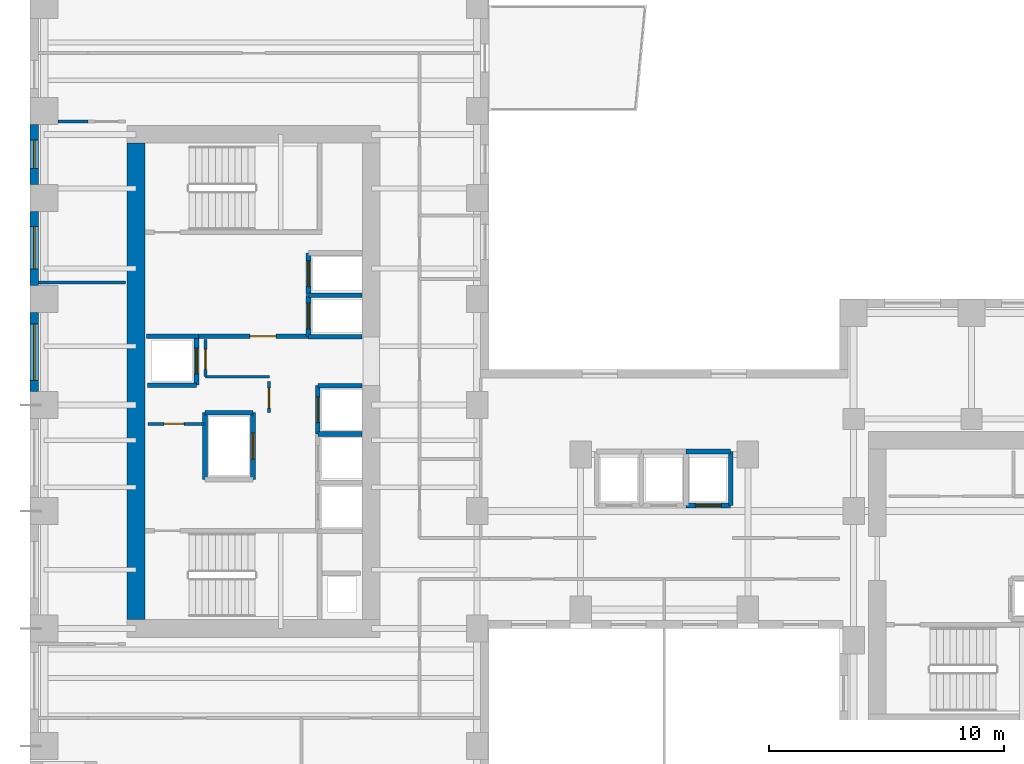
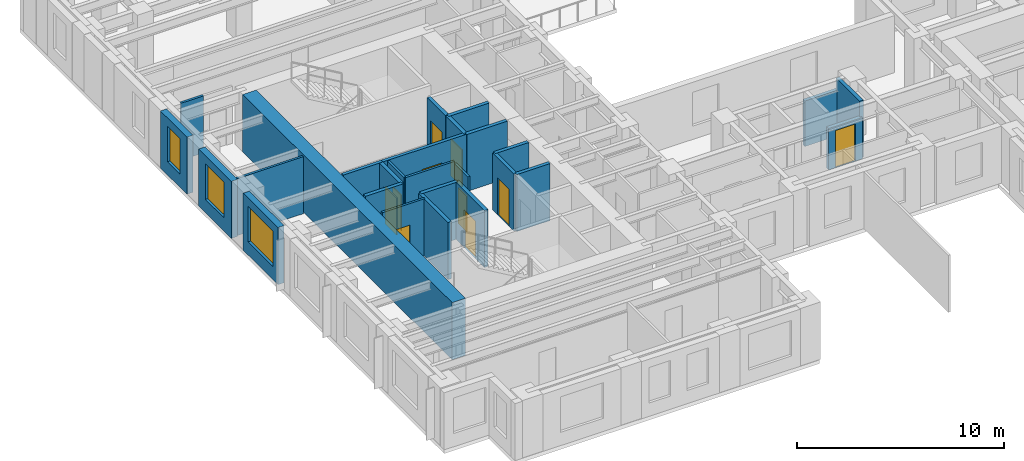
# One storey, part 5 of 11: 27 walls, 10 doors, 3 windows, 13 openings.
"""IFC4 building model written with IfcOpenShell, lengths in metres."""

from ifc_helpers import new_model, si_unit, direction, frame, frame_2d, origin, place, context, subcontext, project, spatial, rectangle, extrude, source, transform, mapped, material, layer, layer_set, type_object, element, fill, save


model = new_model("IFC4")

# Units and contexts
model_context = context("Model", 3, precision=1e-05, world=origin(), true_north=direction((0.0, 1.0)))
body_context = subcontext(model_context, "Body", "Model", "MODEL_VIEW")
ifc_project = project(units=[si_unit("LENGTHUNIT", "METRE"), si_unit("AREAUNIT", "SQUARE_METRE"), si_unit("VOLUMEUNIT", "CUBIC_METRE"), si_unit("PLANEANGLEUNIT", "RADIAN"), si_unit("MASSUNIT", "GRAM", prefix="KILO")], contexts=[model_context])

# Site, building, storey
site_placement = place(None, origin())
site = spatial("IfcSite", under=ifc_project, at=site_placement, CompositionType="ELEMENT")
building_placement = place(site_placement, origin())
building = spatial("IfcBuilding", under=site, at=building_placement, Name="Kharzan Plaza Tower", CompositionType="ELEMENT")
storey_placement = place(building_placement, frame((0.0, 0.0, 99.0)))
storey = spatial("IfcBuildingStorey", under=building, at=storey_placement, Name="L26", CompositionType="ELEMENT", Elevation=99.0)

# Wall, opening, window
ifc_material_1 = material(Name="Concrete C40/50", Category="concrete")
ifc_layer_1 = layer(ifc_material_1, 0.35009765625)
ifc_layer_set_1 = layer_set([ifc_layer_1], Name="Concrete C40/50")
wall_type_1 = type_object("IfcWallType", Name="WL-EXT-MAS-Z2", PredefinedType="SOLIDWALL", material=ifc_layer_set_1)
wall_1_placement = place(storey_placement, frame((0.175048828125, 29.927001953125, 0.0), z_axis=(0.0, 0.0, 1.0), x_axis=(0.0, -1.0, 0.0)))
wall_1 = element("IfcWall", 1, at=wall_1_placement, inside=storey, type_object=wall_type_1, Name="L26 Masonry-Frame Exterior Wall 20", PredefinedType="SOLIDWALL", context=body_context, shape_type="SweptSolid", body=[
    extrude(rectangle(XDim=2.553955078125, YDim=0.35009765625, at=frame_2d((1.27685546875, 0.0))), origin(), (0.0, 0.0, 1.0), 3.364990234375),
])
opening_1_placement = place(wall_1_placement, frame((0.677001953125, 0.0, 0.780029296875)))
opening_1 = element("IfcOpeningElement", 2, at=opening_1_placement, cuts=wall_1, Name="Opening W3", PredefinedType="OPENING", context=body_context, shape_type="SweptSolid", body=[
    extrude(rectangle(XDim=1.199951171875, YDim=2.10009765625, at=frame_2d((0.60009765625, 1.050048828125))), frame((0.0, 0.18505859375, 0.0), z_axis=(0.0, -1.0, 0.0), x_axis=(1.0, 0.0, 0.0)), (0.0, 0.0, 1.0), 0.3701171875),
])
ifc_material_2 = material(Name="Low-E Double Glazing", Category="glass")
window_type_1 = type_object("IfcWindowType", Name="WN-REC-1200x2100", PartitioningType="SINGLE_PANEL", PredefinedType="WINDOW", material=ifc_material_2)
shared_shape_1 = source(origin(), body_context, "Body", "SweptSolid", [
    extrude(rectangle(XDim=1.199951171875, YDim=2.10009765625, at=frame_2d((0.60009765625, 1.050048828125))), frame((0.0, 0.030029296875, 0.0), z_axis=(0.0, -1.0, 0.0), x_axis=(1.0, 0.0, 0.0)), (0.0, 0.0, 1.0), 0.06005859375),
])
window_1_placement = place(opening_1_placement, origin())
window_1 = element("IfcWindow", 3, at=window_1_placement, inside=storey, type_object=window_type_1, Name="L26 Recessed Solar-Control Window 20-1", OverallHeight=2.10009765625, OverallWidth=1.199951171875, PartitioningType="SINGLE_PANEL", PredefinedType="WINDOW", context=body_context, shape_type="MappedRepresentation", body=[
    mapped(shared_shape_1, transform((0.0, 0.0, 0.0), x_axis=(1.0, 0.0, 0.0), y_axis=(0.0, 1.0, 0.0), z_axis=(0.0, 0.0, 1.0))),
])
fill(opening_1, window_1)

wall_2_placement = place(storey_placement, frame((0.175048828125, 26.22705078125, 0.0), z_axis=(0.0, 0.0, 1.0), x_axis=(0.0, -1.0, 0.0)))
wall_2 = element("IfcWall", 4, at=wall_2_placement, inside=storey, type_object=wall_type_1, Name="L26 Masonry-Frame Exterior Wall 21", PredefinedType="SOLIDWALL", context=body_context, shape_type="SweptSolid", body=[
    extrude(rectangle(XDim=3.154052734375, YDim=0.35009765625, at=frame_2d((1.5771484375, 0.0))), origin(), (0.0, 0.0, 1.0), 3.364990234375),
])
opening_2_placement = place(wall_2_placement, frame((0.6484375, 0.0, 0.780029296875)))
opening_2 = element("IfcOpeningElement", 5, at=opening_2_placement, cuts=wall_2, Name="Opening W1", PredefinedType="OPENING", context=body_context, shape_type="SweptSolid", body=[
    extrude(rectangle(XDim=1.800048828125, YDim=2.10009765625, at=frame_2d((0.89990234375, 1.050048828125))), frame((0.0, 0.18505859375, 0.0), z_axis=(0.0, -1.0, 0.0), x_axis=(1.0, 0.0, 0.0)), (0.0, 0.0, 1.0), 0.3701171875),
])
window_type_2 = type_object("IfcWindowType", Name="WN-REC-1800x2100", PartitioningType="SINGLE_PANEL", PredefinedType="WINDOW", material=ifc_material_2)
shared_shape_2 = source(origin(), body_context, "Body", "SweptSolid", [
    extrude(rectangle(XDim=1.800048828125, YDim=2.10009765625, at=frame_2d((0.89990234375, 1.050048828125))), frame((0.0, 0.030029296875, 0.0), z_axis=(0.0, -1.0, 0.0), x_axis=(1.0, 0.0, 0.0)), (0.0, 0.0, 1.0), 0.06005859375),
])
window_2_placement = place(opening_2_placement, origin())
window_2 = element("IfcWindow", 6, at=window_2_placement, inside=storey, type_object=window_type_2, Name="L26 Recessed Solar-Control Window 21-1", OverallHeight=2.10009765625, OverallWidth=1.800048828125, PartitioningType="SINGLE_PANEL", PredefinedType="WINDOW", context=body_context, shape_type="MappedRepresentation", body=[
    mapped(shared_shape_2, transform((0.0, 0.0, 0.0), x_axis=(1.0, 0.0, 0.0), y_axis=(0.0, 1.0, 0.0), z_axis=(0.0, 0.0, 1.0))),
])
fill(opening_2, window_2)

wall_3_placement = place(storey_placement, frame((0.175048828125, 21.927001953125, 0.0), z_axis=(0.0, 0.0, 1.0), x_axis=(0.0, -1.0, 0.0)))
wall_3 = element("IfcWall", 7, at=wall_3_placement, inside=storey, type_object=wall_type_1, Name="L26 Masonry-Frame Exterior Wall 22", PredefinedType="SOLIDWALL", context=body_context, shape_type="SweptSolid", body=[
    extrude(rectangle(XDim=3.35400390625, YDim=0.35009765625, at=frame_2d((1.677001953125, 0.0))), origin(), (0.0, 0.0, 1.0), 3.364990234375),
])
opening_3_placement = place(wall_3_placement, frame((0.47705078125, 0.0, 0.780029296875)))
opening_3 = element("IfcOpeningElement", 8, at=opening_3_placement, cuts=wall_3, Name="Opening W2", PredefinedType="OPENING", context=body_context, shape_type="SweptSolid", body=[
    extrude(rectangle(XDim=2.39990234375, YDim=2.10009765625, at=frame_2d((1.199951171875, 1.050048828125))), frame((0.0, 0.18505859375, 0.0), z_axis=(0.0, -1.0, 0.0), x_axis=(1.0, 0.0, 0.0)), (0.0, 0.0, 1.0), 0.3701171875),
])
window_type_3 = type_object("IfcWindowType", Name="WN-REC-2400x2100", PartitioningType="SINGLE_PANEL", PredefinedType="WINDOW", material=ifc_material_2)
shared_shape_3 = source(origin(), body_context, "Body", "SweptSolid", [
    extrude(rectangle(XDim=2.39990234375, YDim=2.10009765625, at=frame_2d((1.199951171875, 1.050048828125))), frame((0.0, 0.030029296875, 0.0), z_axis=(0.0, -1.0, 0.0), x_axis=(1.0, 0.0, 0.0)), (0.0, 0.0, 1.0), 0.06005859375),
])
window_3_placement = place(opening_3_placement, origin())
window_3 = element("IfcWindow", 9, at=window_3_placement, inside=storey, type_object=window_type_3, Name="L26 Wide Recessed Solar-Control Window 22-1", OverallHeight=2.10009765625, OverallWidth=2.39990234375, PartitioningType="SINGLE_PANEL", PredefinedType="WINDOW", context=body_context, shape_type="MappedRepresentation", body=[
    mapped(shared_shape_3, transform((0.0, 0.0, 0.0), x_axis=(1.0, 0.0, 0.0), y_axis=(0.0, 1.0, 0.0), z_axis=(0.0, 0.0, 1.0))),
])
fill(opening_3, window_3)

# Wall, opening, door
ifc_layer_2 = layer(ifc_material_1, 0.179931640625)
ifc_layer_set_2 = layer_set([ifc_layer_2], Name="Concrete C40/50")
wall_type_2 = type_object("IfcWallType", Name="WL-INT-FIRE-180", PredefinedType="PARTITIONING", material=ifc_layer_set_2)
wall_4_placement = place(storey_placement, frame((7.14990234375, 20.919921875, 0.0), z_axis=(0.0, 0.0, 1.0), x_axis=(1.0, 0.0, 0.0)))
wall_4 = element("IfcWall", 10, at=wall_4_placement, inside=storey, type_object=wall_type_2, Name="L26 Interior Partition CA-FF-S", PredefinedType="PARTITIONING", context=body_context, shape_type="SweptSolid", body=[
    extrude(rectangle(XDim=4.68017578125, YDim=0.179931640625, at=frame_2d((2.340087890625, 0.0))), origin(), (0.0, 0.0, 1.0), 3.364990234375),
])
opening_4_placement = place(wall_4_placement, frame((2.199951171875, 0.0, 0.0)))
opening_4 = element("IfcOpeningElement", 11, at=opening_4_placement, cuts=wall_4, Name="Opening FD1", PredefinedType="OPENING", context=body_context, shape_type="SweptSolid", body=[
    extrude(rectangle(XDim=1.10009765625, YDim=2.14990234375, at=frame_2d((0.550048828125, 1.074951171875))), frame((0.0, 0.099853515625, 0.0), z_axis=(0.0, -1.0, 0.0), x_axis=(1.0, 0.0, 0.0)), (0.0, 0.0, 1.0), 0.199951171875),
])
ifc_material_3 = material(Name="Fire-Rated Acoustic Vision-Panel Steel", Category="steel")
door_type_1 = type_object("IfcDoorType", Name="DR-FIRE-LOBBY", OperationType="NOTDEFINED", PredefinedType="DOOR", material=ifc_material_3)
shared_shape_4 = source(origin(), body_context, "Body", "SweptSolid", [
    extrude(rectangle(XDim=1.10009765625, YDim=2.14990234375, at=frame_2d((0.550048828125, 1.074951171875))), frame((0.0, 0.02490234375, 0.0), z_axis=(0.0, -1.0, 0.0), x_axis=(1.0, 0.0, 0.0)), (0.0, 0.0, 1.0), 0.050048828125),
])
door_1_placement = place(opening_4_placement, origin())
door_1 = element("IfcDoor", 12, at=door_1_placement, inside=storey, type_object=door_type_1, Name="L26 Firefighting Lobby Door", OperationType="SINGLE_SWING_RIGHT", OverallHeight=2.14990234375, OverallWidth=1.10009765625, PredefinedType="DOOR", context=body_context, shape_type="MappedRepresentation", body=[
    mapped(shared_shape_4, transform((0.0, 0.0, 0.0), x_axis=(1.0, 0.0, 0.0), y_axis=(0.0, 1.0, 0.0), z_axis=(0.0, 0.0, 1.0))),
])
fill(opening_4, door_1)

ifc_material_4 = material(Name="Fire-Rated Gypsum Board Partition", Category="gypsum")
ifc_layer_3 = layer(ifc_material_4, 0.125)
ifc_layer_set_3 = layer_set([ifc_layer_3], Name="Fire-Rated Gypsum Board Partition")
wall_type_3 = type_object("IfcWallType", Name="WL-INT-PART-125", PredefinedType="PARTITIONING", material=ifc_layer_set_3)
wall_5_placement = place(storey_placement, frame((10.14990234375, 17.679931640625, 0.0), z_axis=(0.0, 0.0, 1.0), x_axis=(0.0, 1.0, 0.0)))
wall_5 = element("IfcWall", 13, at=wall_5_placement, inside=storey, type_object=wall_type_3, Name="L26 Interior Partition CA-K2A", PredefinedType="PARTITIONING", context=body_context, shape_type="SweptSolid", body=[
    extrude(rectangle(XDim=1.320068359375, YDim=0.125, at=frame_2d((0.66015625, 0.0))), origin(), (0.0, 0.0, 1.0), 3.364990234375),
])
opening_5_placement = place(wall_5_placement, frame((0.18505859375, 0.0, 0.0)))
opening_5 = element("IfcOpeningElement", 14, at=opening_5_placement, cuts=wall_5, Name="Opening RD1", PredefinedType="OPENING", context=body_context, shape_type="SweptSolid", body=[
    extrude(rectangle(XDim=0.85009765625, YDim=2.10009765625, at=frame_2d((0.425048828125, 1.050048828125))), frame((0.0, 0.072509765625, 0.0), z_axis=(0.0, -1.0, 0.0), x_axis=(1.0, 0.0, 0.0)), (0.0, 0.0, 1.0), 0.14501953125),
])
ifc_material_5 = material(Name="Powder-Coated Fire-Rated Steel", Category="steel")
door_type_2 = type_object("IfcDoorType", Name="DR-RISER-900", OperationType="NOTDEFINED", PredefinedType="DOOR", material=ifc_material_5)
shared_shape_5 = source(origin(), body_context, "Body", "SweptSolid", [
    extrude(rectangle(XDim=0.85009765625, YDim=2.10009765625, at=frame_2d((0.425048828125, 1.050048828125))), frame((0.0, 0.02490234375, 0.0), z_axis=(0.0, -1.0, 0.0), x_axis=(1.0, 0.0, 0.0)), (0.0, 0.0, 1.0), 0.050048828125),
])
door_2_placement = place(opening_5_placement, origin())
door_2 = element("IfcDoor", 15, at=door_2_placement, inside=storey, type_object=door_type_2, Name="L26 Core Mechanical Store Door", OperationType="SINGLE_SWING_LEFT", OverallHeight=2.10009765625, OverallWidth=0.85009765625, PredefinedType="DOOR", context=body_context, shape_type="MappedRepresentation", body=[
    mapped(shared_shape_5, transform((0.0, 0.0, 0.0), x_axis=(1.0, 0.0, 0.0), y_axis=(0.0, 1.0, 0.0), z_axis=(0.0, 0.0, 1.0))),
])
fill(opening_5, door_2)

wall_6_placement = place(storey_placement, frame((7.449951171875, 19.199951171875, 0.0), z_axis=(0.0, 0.0, 1.0), x_axis=(0.0, 1.0, 0.0)))
wall_6 = element("IfcWall", 16, at=wall_6_placement, inside=storey, type_object=wall_type_3, Name="L26 Interior Partition CA-K2B", PredefinedType="PARTITIONING", context=body_context, shape_type="SweptSolid", body=[
    extrude(rectangle(XDim=1.580078125, YDim=0.125, at=frame_2d((0.7900390625, 0.0))), origin(), (0.0, 0.0, 1.0), 3.364990234375),
])
opening_6_placement = place(wall_6_placement, frame((0.31494140625, 0.0, 0.0)))
opening_6 = element("IfcOpeningElement", 17, at=opening_6_placement, cuts=wall_6, Name="Opening RD1", PredefinedType="OPENING", context=body_context, shape_type="SweptSolid", body=[
    extrude(rectangle(XDim=0.85009765625, YDim=2.10009765625, at=frame_2d((0.425048828125, 1.050048828125))), frame((0.0, 0.072509765625, 0.0), z_axis=(0.0, -1.0, 0.0), x_axis=(1.0, 0.0, 0.0)), (0.0, 0.0, 1.0), 0.14501953125),
])
door_3_placement = place(opening_6_placement, origin())
door_3 = element("IfcDoor", 18, at=door_3_placement, inside=storey, type_object=door_type_2, Name="L26 Core Plant Store Door", OperationType="SINGLE_SWING_RIGHT", OverallHeight=2.10009765625, OverallWidth=0.85009765625, PredefinedType="DOOR", context=body_context, shape_type="MappedRepresentation", body=[
    mapped(shared_shape_5, transform((0.0, 0.0, 0.0), x_axis=(1.0, 0.0, 0.0), y_axis=(0.0, 1.0, 0.0), z_axis=(0.0, 0.0, 1.0))),
])
fill(opening_6, door_3)

wall_7_placement = place(storey_placement, frame((5.0, 17.199951171875, 0.0), z_axis=(0.0, 0.0, 1.0), x_axis=(1.0, 0.0, 0.0)))
wall_7 = element("IfcWall", 19, at=wall_7_placement, inside=storey, type_object=wall_type_3, Name="L26 Interior Partition CA-K2N0", PredefinedType="PARTITIONING", context=body_context, shape_type="SweptSolid", body=[
    extrude(rectangle(XDim=2.39990234375, YDim=0.125, at=frame_2d((1.199951171875, 0.0))), origin(), (0.0, 0.0, 1.0), 3.364990234375),
])
opening_7_placement = place(wall_7_placement, frame((0.699951171875, 0.0, 0.0)))
opening_7 = element("IfcOpeningElement", 20, at=opening_7_placement, cuts=wall_7, Name="Opening RD1", PredefinedType="OPENING", context=body_context, shape_type="SweptSolid", body=[
    extrude(rectangle(XDim=0.85009765625, YDim=2.10009765625, at=frame_2d((0.425048828125, 1.050048828125))), frame((0.0, 0.072509765625, 0.0), z_axis=(0.0, -1.0, 0.0), x_axis=(1.0, 0.0, 0.0)), (0.0, 0.0, 1.0), 0.14501953125),
])
door_4_placement = place(opening_7_placement, origin())
door_4 = element("IfcDoor", 21, at=door_4_placement, inside=storey, type_object=door_type_2, Name="L26 Core Electrical Store Door", OperationType="SINGLE_SWING_RIGHT", OverallHeight=2.10009765625, OverallWidth=0.85009765625, PredefinedType="DOOR", context=body_context, shape_type="MappedRepresentation", body=[
    mapped(shared_shape_5, transform((0.0, 0.0, 0.0), x_axis=(1.0, 0.0, 0.0), y_axis=(0.0, 1.0, 0.0), z_axis=(0.0, 0.0, 1.0))),
])
fill(opening_7, door_4)

ifc_layer_4 = layer(ifc_material_1, 0.199951171875)
ifc_layer_set_4 = layer_set([ifc_layer_4], Name="Concrete C40/50")
wall_type_4 = type_object("IfcWallType", Name="WL-INT-SHAFT-200", PredefinedType="PARTITIONING", material=ifc_layer_set_4)
wall_8_placement = place(storey_placement, frame((11.830078125, 20.89990234375, 0.0), z_axis=(0.0, 0.0, 1.0), x_axis=(0.0, 1.0, 0.0)))
wall_8 = element("IfcWall", 22, at=wall_8_placement, inside=storey, type_object=wall_type_4, Name="L26 Interior Partition SHF-FFL-1-W", PredefinedType="PARTITIONING", context=body_context, shape_type="SweptSolid", body=[
    extrude(rectangle(XDim=1.760009765625, YDim=0.199951171875, at=frame_2d((0.8798828125, 0.0))), origin(), (0.0, 0.0, 1.0), 3.364990234375),
])
opening_8_placement = place(wall_8_placement, frame((0.330078125, 0.0, 0.0)))
opening_8 = element("IfcOpeningElement", 23, at=opening_8_placement, cuts=wall_8, Name="Opening LD", PredefinedType="OPENING", context=body_context, shape_type="SweptSolid", body=[
    extrude(rectangle(XDim=1.10009765625, YDim=2.199951171875, at=frame_2d((0.550048828125, 1.10009765625))), frame((0.0, 0.10986328125, 0.0), z_axis=(0.0, -1.0, 0.0), x_axis=(1.0, 0.0, 0.0)), (0.0, 0.0, 1.0), 0.219970703125),
])
ifc_material_6 = material(Name="Brushed Stainless Steel", Category="steel")
door_type_3 = type_object("IfcDoorType", Name="DR-LIFT-SLIDE", OperationType="SLIDING_TO_LEFT", PredefinedType="DOOR", material=ifc_material_6)
shared_shape_6 = source(origin(), body_context, "Body", "SweptSolid", [
    extrude(rectangle(XDim=1.10009765625, YDim=2.199951171875, at=frame_2d((0.550048828125, 1.10009765625))), frame((0.0, 0.02490234375, 0.0), z_axis=(0.0, -1.0, 0.0), x_axis=(1.0, 0.0, 0.0)), (0.0, 0.0, 1.0), 0.050048828125),
])
door_5_placement = place(opening_8_placement, origin())
door_5 = element("IfcDoor", 24, at=door_5_placement, inside=storey, type_object=door_type_3, Name="L26 Firefighting Lift FFL-1 Sliding Landing Door", OperationType="SLIDING_TO_LEFT", OverallHeight=2.199951171875, OverallWidth=1.10009765625, PredefinedType="DOOR", context=body_context, shape_type="MappedRepresentation", body=[
    mapped(shared_shape_6, transform((0.0, 0.0, 0.0), x_axis=(1.0, 0.0, 0.0), y_axis=(0.0, 1.0, 0.0), z_axis=(0.0, 0.0, 1.0))),
])
fill(opening_8, door_5)

wall_9_placement = place(storey_placement, frame((11.830078125, 22.699951171875, 0.0), z_axis=(0.0, 0.0, 1.0), x_axis=(0.0, 1.0, 0.0)))
wall_9 = element("IfcWall", 25, at=wall_9_placement, inside=storey, type_object=wall_type_4, Name="L26 Interior Partition SHF-FFL-2-W", PredefinedType="PARTITIONING", context=body_context, shape_type="SweptSolid", body=[
    extrude(rectangle(XDim=1.760009765625, YDim=0.199951171875, at=frame_2d((0.8798828125, 0.0))), origin(), (0.0, 0.0, 1.0), 3.364990234375),
])
opening_9_placement = place(wall_9_placement, frame((0.330078125, 0.0, 0.0)))
opening_9 = element("IfcOpeningElement", 26, at=opening_9_placement, cuts=wall_9, Name="Opening LD", PredefinedType="OPENING", context=body_context, shape_type="SweptSolid", body=[
    extrude(rectangle(XDim=1.10009765625, YDim=2.199951171875, at=frame_2d((0.550048828125, 1.10009765625))), frame((0.0, 0.10986328125, 0.0), z_axis=(0.0, -1.0, 0.0), x_axis=(1.0, 0.0, 0.0)), (0.0, 0.0, 1.0), 0.219970703125),
])
door_6_placement = place(opening_9_placement, origin())
door_6 = element("IfcDoor", 27, at=door_6_placement, inside=storey, type_object=door_type_3, Name="L26 Firefighting Lift FFL-2 Sliding Landing Door", OperationType="SLIDING_TO_LEFT", OverallHeight=2.199951171875, OverallWidth=1.10009765625, PredefinedType="DOOR", context=body_context, shape_type="MappedRepresentation", body=[
    mapped(shared_shape_6, transform((0.0, 0.0, 0.0), x_axis=(1.0, 0.0, 0.0), y_axis=(0.0, 1.0, 0.0), z_axis=(0.0, 0.0, 1.0))),
])
fill(opening_9, door_6)

wall_10_placement = place(storey_placement, frame((12.22998046875, 16.77001953125, 0.0), z_axis=(0.0, 0.0, 1.0), x_axis=(0.0, 1.0, 0.0)))
wall_10 = element("IfcWall", 28, at=wall_10_placement, inside=storey, type_object=wall_type_4, Name="L26 Interior Partition SHF-PL-H3-W", PredefinedType="PARTITIONING", context=body_context, shape_type="SweptSolid", body=[
    extrude(rectangle(XDim=2.050048828125, YDim=0.199951171875, at=frame_2d((1.02490234375, 0.0))), origin(), (0.0, 0.0, 1.0), 3.364990234375),
])
opening_10_placement = place(wall_10_placement, frame((0.47509765625, 0.0, 0.0)))
opening_10 = element("IfcOpeningElement", 29, at=opening_10_placement, cuts=wall_10, Name="Opening LD", PredefinedType="OPENING", context=body_context, shape_type="SweptSolid", body=[
    extrude(rectangle(XDim=1.10009765625, YDim=2.199951171875, at=frame_2d((0.550048828125, 1.10009765625))), frame((0.0, 0.10986328125, 0.0), z_axis=(0.0, -1.0, 0.0), x_axis=(1.0, 0.0, 0.0)), (0.0, 0.0, 1.0), 0.219970703125),
])
door_7_placement = place(opening_10_placement, origin())
door_7 = element("IfcDoor", 30, at=door_7_placement, inside=storey, type_object=door_type_3, Name="L26 High-Rise Passenger Lift PL-H3 Sliding Landing Door", OperationType="SLIDING_TO_LEFT", OverallHeight=2.199951171875, OverallWidth=1.10009765625, PredefinedType="DOOR", context=body_context, shape_type="MappedRepresentation", body=[
    mapped(shared_shape_6, transform((0.0, 0.0, 0.0), x_axis=(1.0, 0.0, 0.0), y_axis=(0.0, 1.0, 0.0), z_axis=(0.0, 0.0, 1.0))),
])
fill(opening_10, door_7)

wall_11_placement = place(storey_placement, frame((7.070068359375, 18.840087890625, 0.0), z_axis=(0.0, 0.0, 1.0), x_axis=(0.0, 1.0, 0.0)))
wall_11 = element("IfcWall", 31, at=wall_11_placement, inside=storey, type_object=wall_type_4, Name="L26 Interior Partition SHF-PL-H4-E", PredefinedType="PARTITIONING", context=body_context, shape_type="SweptSolid", body=[
    extrude(rectangle(XDim=2.059814453125, YDim=0.199951171875, at=frame_2d((1.02978515625, 0.0))), origin(), (0.0, 0.0, 1.0), 3.364990234375),
])
opening_11_placement = place(wall_11_placement, frame((0.47998046875, 0.0, 0.0)))
opening_11 = element("IfcOpeningElement", 32, at=opening_11_placement, cuts=wall_11, Name="Opening LD", PredefinedType="OPENING", context=body_context, shape_type="SweptSolid", body=[
    extrude(rectangle(XDim=1.10009765625, YDim=2.199951171875, at=frame_2d((0.550048828125, 1.10009765625))), frame((0.0, 0.10986328125, 0.0), z_axis=(0.0, -1.0, 0.0), x_axis=(1.0, 0.0, 0.0)), (0.0, 0.0, 1.0), 0.219970703125),
])
door_8_placement = place(opening_11_placement, origin())
door_8 = element("IfcDoor", 33, at=door_8_placement, inside=storey, type_object=door_type_3, Name="L26 High-Rise Passenger Lift PL-H4 Sliding Landing Door", OperationType="SLIDING_TO_LEFT", OverallHeight=2.199951171875, OverallWidth=1.10009765625, PredefinedType="DOOR", context=body_context, shape_type="MappedRepresentation", body=[
    mapped(shared_shape_6, transform((0.0, 0.0, 0.0), x_axis=(1.0, 0.0, 0.0), y_axis=(0.0, 1.0, 0.0), z_axis=(0.0, 0.0, 1.0))),
])
fill(opening_11, door_8)

wall_12_placement = place(storey_placement, frame((27.8798828125, 13.72998046875, 0.0), z_axis=(0.0, 0.0, 1.0), x_axis=(1.0, 0.0, 0.0)))
wall_12 = element("IfcWall", 34, at=wall_12_placement, inside=storey, type_object=wall_type_4, Name="L26 Interior Partition SHF-PL-M3-S", PredefinedType="PARTITIONING", context=body_context, shape_type="SweptSolid", body=[
    extrude(rectangle(XDim=1.89013671875, YDim=0.199951171875, at=frame_2d((0.945068359375, 0.0))), origin(), (0.0, 0.0, 1.0), 2.446044921875),
])
opening_12_placement = place(wall_12_placement, frame((0.39501953125, 0.0, 0.0)))
opening_12 = element("IfcOpeningElement", 35, at=opening_12_placement, cuts=wall_12, Name="Opening LD", PredefinedType="OPENING", context=body_context, shape_type="SweptSolid", body=[
    extrude(rectangle(XDim=1.10009765625, YDim=2.199951171875, at=frame_2d((0.550048828125, 1.10009765625))), frame((0.0, 0.10986328125, 0.0), z_axis=(0.0, -1.0, 0.0), x_axis=(1.0, 0.0, 0.0)), (0.0, 0.0, 1.0), 0.219970703125),
])
door_9_placement = place(opening_12_placement, origin())
door_9 = element("IfcDoor", 36, at=door_9_placement, inside=storey, type_object=door_type_3, Name="L26 Mid-Rise Passenger Lift PL-M3 Sliding Landing Door", OperationType="SLIDING_TO_LEFT", OverallHeight=2.199951171875, OverallWidth=1.10009765625, PredefinedType="DOOR", context=body_context, shape_type="MappedRepresentation", body=[
    mapped(shared_shape_6, transform((0.0, 0.0, 0.0), x_axis=(1.0, 0.0, 0.0), y_axis=(0.0, 1.0, 0.0), z_axis=(0.0, 0.0, 1.0))),
])
fill(opening_12, door_9)

wall_13_placement = place(storey_placement, frame((9.469970703125, 14.830078125, 0.0), z_axis=(0.0, 0.0, 1.0), x_axis=(0.0, 1.0, 0.0)))
wall_13 = element("IfcWall", 37, at=wall_13_placement, inside=storey, type_object=wall_type_4, Name="L26 Interior Partition SHF-SVL-1-E", PredefinedType="PARTITIONING", context=body_context, shape_type="SweptSolid", body=[
    extrude(rectangle(XDim=2.83984375, YDim=0.199951171875, at=frame_2d((1.419921875, 0.0))), origin(), (0.0, 0.0, 1.0), 3.364990234375),
])
opening_13_placement = place(wall_13_placement, frame((0.8701171875, 0.0, 0.0)))
opening_13 = element("IfcOpeningElement", 38, at=opening_13_placement, cuts=wall_13, Name="Opening LD", PredefinedType="OPENING", context=body_context, shape_type="SweptSolid", body=[
    extrude(rectangle(XDim=1.10009765625, YDim=2.199951171875, at=frame_2d((0.550048828125, 1.10009765625))), frame((0.0, 0.10986328125, 0.0), z_axis=(0.0, -1.0, 0.0), x_axis=(1.0, 0.0, 0.0)), (0.0, 0.0, 1.0), 0.219970703125),
])
door_10_placement = place(opening_13_placement, origin())
door_10 = element("IfcDoor", 39, at=door_10_placement, inside=storey, type_object=door_type_3, Name="L26 Service Lift SVL-1 Sliding Landing Door", OperationType="SLIDING_TO_LEFT", OverallHeight=2.199951171875, OverallWidth=1.10009765625, PredefinedType="DOOR", context=body_context, shape_type="MappedRepresentation", body=[
    mapped(shared_shape_6, transform((0.0, 0.0, 0.0), x_axis=(1.0, 0.0, 0.0), y_axis=(0.0, 1.0, 0.0), z_axis=(0.0, 0.0, 1.0))),
])
fill(opening_13, door_10)

# Walls
shared_shape_7 = source(origin(), body_context, "Body", "SweptSolid", [
    extrude(rectangle(XDim=2.72998046875, YDim=0.125, at=frame_2d((1.364990234375, 0.0))), origin(), (0.0, 0.0, 1.0), 3.364990234375),
])
wall_14_placement = place(storey_placement, frame((7.449951171875, 19.199951171875, 0.0), z_axis=(0.0, 0.0, 1.0), x_axis=(1.0, 0.0, 0.0)))
element("IfcWall", 40, at=wall_14_placement, inside=storey, type_object=wall_type_3, Name="L26 Interior Partition CA-K2M", PredefinedType="PARTITIONING", context=body_context, shape_type="MappedRepresentation", body=[
    mapped(shared_shape_7, transform((0.0, 0.0, 0.0), x_axis=(1.0, 0.0, 0.0), y_axis=(0.0, 1.0, 0.0), z_axis=(0.0, 0.0, 1.0))),
])
shared_shape_8 = source(origin(), body_context, "Body", "SweptSolid", [
    extrude(rectangle(XDim=2.090087890625, YDim=0.199951171875, at=frame_2d((1.044921875, 0.0))), origin(), (0.0, 0.0, 1.0), 3.364990234375),
])
wall_15_placement = place(storey_placement, frame((4.97998046875, 18.840087890625, 0.0), z_axis=(0.0, 0.0, 1.0), x_axis=(1.0, 0.0, 0.0)))
element("IfcWall", 41, at=wall_15_placement, inside=storey, type_object=wall_type_4, Name="L26 Interior Partition SHF-PL-H4-S", PredefinedType="PARTITIONING", context=body_context, shape_type="MappedRepresentation", body=[
    mapped(shared_shape_8, transform((0.0, 0.0, 0.0), x_axis=(1.0, 0.0, 0.0), y_axis=(0.0, 1.0, 0.0), z_axis=(0.0, 0.0, 1.0))),
])
shared_shape_9 = source(origin(), body_context, "Body", "SweptSolid", [
    extrude(rectangle(XDim=2.2900390625, YDim=0.199951171875, at=frame_2d((1.14501953125, 0.0))), origin(), (0.0, 0.0, 1.0), 3.364990234375),
])
wall_16_placement = place(storey_placement, frame((29.77001953125, 13.72998046875, 0.0), z_axis=(0.0, 0.0, 1.0), x_axis=(0.0, 1.0, 0.0)))
element("IfcWall", 42, at=wall_16_placement, inside=storey, type_object=wall_type_4, Name="L26 Interior Partition SHF-PL-M3-E", PredefinedType="PARTITIONING", context=body_context, shape_type="MappedRepresentation", body=[
    mapped(shared_shape_9, transform((0.0, 0.0, 0.0), x_axis=(1.0, 0.0, 0.0), y_axis=(0.0, 1.0, 0.0), z_axis=(0.0, 0.0, 1.0))),
])
shared_shape_10 = source(origin(), body_context, "Body", "SweptSolid", [
    extrude(rectangle(XDim=2.0400390625, YDim=0.199951171875, at=frame_2d((1.02001953125, 0.0))), origin(), (0.0, 0.0, 1.0), 3.364990234375),
])
wall_17_placement = place(storey_placement, frame((7.429931640625, 17.669921875, 0.0), z_axis=(0.0, 0.0, 1.0), x_axis=(1.0, 0.0, 0.0)))
element("IfcWall", 43, at=wall_17_placement, inside=storey, type_object=wall_type_4, Name="L26 Interior Partition SHF-SVL-1-N", PredefinedType="PARTITIONING", context=body_context, shape_type="MappedRepresentation", body=[
    mapped(shared_shape_10, transform((0.0, 0.0, 0.0), x_axis=(1.0, 0.0, 0.0), y_axis=(0.0, 1.0, 0.0), z_axis=(0.0, 0.0, 1.0))),
])
shared_shape_11 = source(origin(), body_context, "Body", "SweptSolid", [
    extrude(rectangle(XDim=2.83984375, YDim=0.199951171875, at=frame_2d((1.419921875, 0.0))), origin(), (0.0, 0.0, 1.0), 3.364990234375),
])
wall_18_placement = place(storey_placement, frame((7.429931640625, 14.830078125, 0.0), z_axis=(0.0, 0.0, 1.0), x_axis=(0.0, 1.0, 0.0)))
element("IfcWall", 44, at=wall_18_placement, inside=storey, type_object=wall_type_4, Name="L26 Interior Partition SHF-SVL-1-W", PredefinedType="PARTITIONING", context=body_context, shape_type="MappedRepresentation", body=[
    mapped(shared_shape_11, transform((0.0, 0.0, 0.0), x_axis=(1.0, 0.0, 0.0), y_axis=(0.0, 1.0, 0.0), z_axis=(0.0, 0.0, 1.0))),
])
shared_shape_12 = source(origin(), body_context, "Body", "SweptSolid", [
    extrude(rectangle(XDim=2.199951171875, YDim=0.179931640625, at=frame_2d((1.10009765625, 0.0))), origin(), (0.0, 0.0, 1.0), 3.364990234375),
])
wall_19_placement = place(storey_placement, frame((4.949951171875, 20.919921875, 0.0), z_axis=(0.0, 0.0, 1.0), x_axis=(1.0, 0.0, 0.0)))
element("IfcWall", 45, at=wall_19_placement, inside=storey, type_object=wall_type_2, Name="L26 Interior Partition CA-FF-SW", PredefinedType="PARTITIONING", context=body_context, shape_type="MappedRepresentation", body=[
    mapped(shared_shape_12, transform((0.0, 0.0, 0.0), x_axis=(1.0, 0.0, 0.0), y_axis=(0.0, 1.0, 0.0), z_axis=(0.0, 0.0, 1.0))),
])
shared_shape_13 = source(origin(), body_context, "Body", "SweptSolid", [
    extrude(rectangle(XDim=1.260009765625, YDim=0.125, at=frame_2d((0.6298828125, 0.0))), origin(), (0.0, 0.0, 1.0), 3.364990234375),
])
wall_20_placement = place(storey_placement, frame((1.18994140625, 30.050048828125, 0.0), z_axis=(0.0, 0.0, 1.0), x_axis=(1.0, 0.0, 0.0)))
element("IfcWall", 46, at=wall_20_placement, inside=storey, type_object=wall_type_3, Name="L26 Interior Partition SH-RWN0", PredefinedType="PARTITIONING", context=body_context, shape_type="MappedRepresentation", body=[
    mapped(shared_shape_13, transform((0.0, 0.0, 0.0), x_axis=(1.0, 0.0, 0.0), y_axis=(0.0, 1.0, 0.0), z_axis=(0.0, 0.0, 1.0))),
])
shared_shape_14 = source(origin(), body_context, "Body", "SweptSolid", [
    extrude(rectangle(XDim=3.697998046875, YDim=0.125, at=frame_2d((1.84912109375, 0.0))), origin(), (0.0, 0.0, 1.0), 3.364990234375),
])
wall_21_placement = place(storey_placement, frame((0.35205078125, 23.199951171875, 0.0), z_axis=(0.0, 0.0, 1.0), x_axis=(1.0, 0.0, 0.0)))
element("IfcWall", 47, at=wall_21_placement, inside=storey, type_object=wall_type_3, Name="L26 Interior Partition SH-WMID", PredefinedType="PARTITIONING", context=body_context, shape_type="MappedRepresentation", body=[
    mapped(shared_shape_14, transform((0.0, 0.0, 0.0), x_axis=(1.0, 0.0, 0.0), y_axis=(0.0, 1.0, 0.0), z_axis=(0.0, 0.0, 1.0))),
])
shared_shape_15 = source(origin(), body_context, "Body", "SweptSolid", [
    extrude(rectangle(XDim=2.264892578125, YDim=0.199951171875, at=frame_2d((1.13232421875, 0.0))), origin(), (0.0, 0.0, 1.0), 3.364990234375),
])
for number, where, z_axis, x_axis, name in (
    (48, (11.830078125, 22.659912109375, 0.0), (0.0, 0.0, 1.0), (1.0, 0.0, 0.0), "L26 Interior Partition SHF-FFL-1-N"),
    (49, (11.830078125, 20.89990234375, 0.0), (0.0, 0.0, 1.0), (1.0, 0.0, 0.0), "L26 Interior Partition SHF-FFL-1-S"),
):
    element("IfcWall", number, at=place(storey_placement, frame(where, z_axis=z_axis, x_axis=x_axis)), inside=storey, type_object=wall_type_4, Name=name, PredefinedType="PARTITIONING", context=body_context, shape_type="MappedRepresentation", body=[
        mapped(shared_shape_15, transform((0.0, 0.0, 0.0), x_axis=(1.0, 0.0, 0.0), y_axis=(0.0, 1.0, 0.0), z_axis=(0.0, 0.0, 1.0))),
    ])
shared_shape_16 = source(origin(), body_context, "Body", "SweptSolid", [
    extrude(rectangle(XDim=1.864990234375, YDim=0.199951171875, at=frame_2d((0.9326171875, 0.0))), origin(), (0.0, 0.0, 1.0), 3.364990234375),
])
for number, where, z_axis, x_axis, name in (
    (50, (12.22998046875, 16.77001953125, 0.0), (0.0, 0.0, 1.0), (1.0, 0.0, 0.0), "L26 Interior Partition SHF-PL-H2-N"),
    (51, (12.22998046875, 18.820068359375, 0.0), (0.0, 0.0, 1.0), (1.0, 0.0, 0.0), "L26 Interior Partition SHF-PL-H3-N"),
):
    element("IfcWall", number, at=place(storey_placement, frame(where, z_axis=z_axis, x_axis=x_axis)), inside=storey, type_object=wall_type_4, Name=name, PredefinedType="PARTITIONING", context=body_context, shape_type="MappedRepresentation", body=[
        mapped(shared_shape_16, transform((0.0, 0.0, 0.0), x_axis=(1.0, 0.0, 0.0), y_axis=(0.0, 1.0, 0.0), z_axis=(0.0, 0.0, 1.0))),
    ])
shared_shape_17 = source(origin(), body_context, "Body", "SweptSolid", [
    extrude(rectangle(XDim=1.89013671875, YDim=0.199951171875, at=frame_2d((0.945068359375, 0.0))), origin(), (0.0, 0.0, 1.0), 2.677001953125),
])
wall_22_placement = place(storey_placement, frame((27.8798828125, 16.02001953125, 0.0), z_axis=(0.0, 0.0, 1.0), x_axis=(1.0, 0.0, 0.0)))
element("IfcWall", 52, at=wall_22_placement, inside=storey, type_object=wall_type_4, Name="L26 Interior Partition SHF-PL-M3-N", PredefinedType="PARTITIONING", context=body_context, shape_type="MappedRepresentation", body=[
    mapped(shared_shape_17, transform((0.0, 0.0, 0.0), x_axis=(1.0, 0.0, 0.0), y_axis=(0.0, 1.0, 0.0), z_axis=(0.0, 0.0, 1.0))),
])
ifc_material_7 = material(Name="Concrete C60/75", Category="concrete")
ifc_layer_5 = layer(ifc_material_7, 0.75)
ifc_layer_set_5 = layer_set([ifc_layer_5], Name="Concrete C60/75")
wall_type_5 = type_object("IfcWallType", Name="WL-CORE-750", PredefinedType="SHEAR", material=ifc_layer_set_5)
shared_shape_18 = source(origin(), body_context, "Body", "SweptSolid", [
    extrude(rectangle(XDim=20.25, YDim=0.75, at=frame_2d((10.125, 0.0))), origin(), (0.0, 0.0, 1.0), 3.3798828125),
])
wall_23_placement = place(storey_placement, frame((4.5, 8.875, 0.0), z_axis=(0.0, 0.0, 1.0), x_axis=(0.0, 1.0, 0.0)))
element("IfcWall", 53, at=wall_23_placement, inside=storey, type_object=wall_type_5, Name="L26 CORE-A west RC shear wall", PredefinedType="SHEAR", context=body_context, shape_type="MappedRepresentation", body=[
    mapped(shared_shape_18, transform((0.0, 0.0, 0.0), x_axis=(1.0, 0.0, 0.0), y_axis=(0.0, 1.0, 0.0), z_axis=(0.0, 0.0, 1.0))),
])

save(model, "model.ifc")
